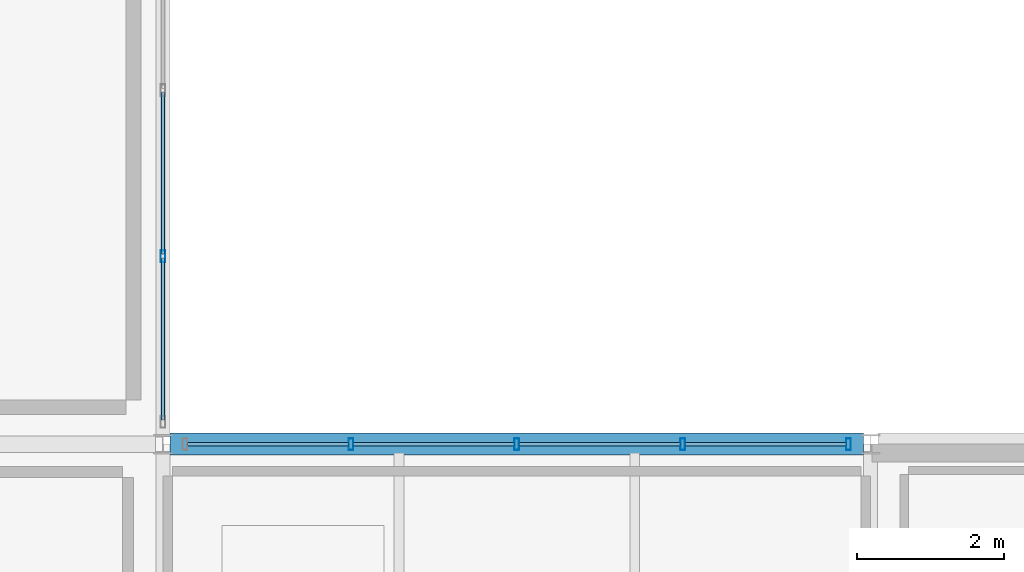
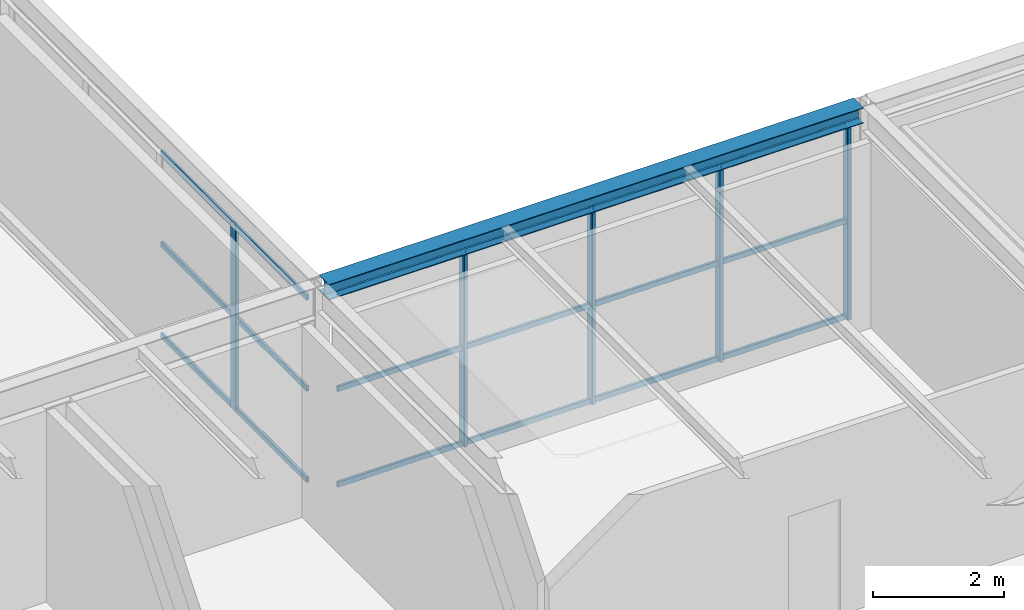
# One storey, part 16 of 33: 23 members, 1 beam, 2 elements without a shape of their own.
"""IFC4 building model written with IfcOpenShell, lengths in metres."""

from ifc_helpers import new_model, si_unit, direction, frame, origin, origin_2d, place, context, subcontext, project, spatial, hollow_rectangle, i_section, extrude, material, material_profile, profile_set, type_object, element, aggregate, save


model = new_model("IFC4")

# Units and contexts
model_context = context("Model", 3, precision=1e-05, world=origin(), true_north=direction((0.0, 1.0)))
body_context = subcontext(model_context, "Body", "Model", "MODEL_VIEW")
ifc_project = project(units=[si_unit("LENGTHUNIT", "METRE"), si_unit("AREAUNIT", "SQUARE_METRE"), si_unit("VOLUMEUNIT", "CUBIC_METRE"), si_unit("PLANEANGLEUNIT", "RADIAN"), si_unit("MASSUNIT", "GRAM", prefix="KILO")], contexts=[model_context])

# Site, building, storey
site_placement = place(None, origin())
site = spatial("IfcSite", under=ifc_project, at=site_placement, CompositionType="ELEMENT")
building_placement = place(site_placement, origin())
building = spatial("IfcBuilding", under=site, at=building_placement, Name="Coralgate Yard Interchange", CompositionType="ELEMENT")
storey_placement = place(building_placement, frame((0.0, 0.0, 23.10009765625)))
storey = spatial("IfcBuildingStorey", under=building, at=storey_placement, Name="L05", CompositionType="ELEMENT", Elevation=23.10009765625)

# Beam
ifc_material_1 = material(Name="Structural steel S355J2", Category="steel")
ifc_material_profile_1 = material_profile(ifc_material_1, i_section(OverallWidth=0.300048828125, OverallDepth=0.2900390625, WebThickness=0.008544921875, FlangeThickness=0.013916015625, FilletRadius=0.027099609375, at=origin_2d()), Name="HEA 300")
ifc_profile_set_1 = profile_set([ifc_material_profile_1], Name="Structural steel S355J2")
beam_type = type_object("IfcBeamType", Name="BM-SP-2", PredefinedType="SPANDREL", material=ifc_profile_set_1)
beam_placement = place(storey_placement, frame((19.298095703125, 19.199951171875, 3.77490234375), z_axis=(1.0, 0.0, 0.0), x_axis=(0.0, 1.0, 0.0)))
element("IfcBeam", 1, at=beam_placement, inside=storey, type_object=beam_type, Name="L05 primary grid beam Y2 X2-3", PredefinedType="SPANDREL", context=body_context, shape_type="SweptSolid", body=[
    extrude(i_section(OverallWidth=0.300048828125, OverallDepth=0.2900390625, WebThickness=0.008544921875, FlangeThickness=0.013916015625, FilletRadius=0.027099609375, at=origin_2d()), origin(), (0.0, 0.0, 1.0), 9.40380859375),
])

# Curtain wall, member
ifc_material_2 = material(Name="Anodised coastal aluminium and solar-control low-E glass", Category="aluminium")
curtain_wall_type = type_object("IfcCurtainWallType", Name="CW-CW-L05-A", PredefinedType="NOTDEFINED", material=ifc_material_2)
curtain_wall_1_placement = place(storey_placement, origin())
curtain_wall_1 = element("IfcCurtainWall", 2, at=curtain_wall_1_placement, inside=storey, type_object=curtain_wall_type, Name="L05 unitised curtain wall CW-L05-E-01-02", PredefinedType="NOTDEFINED")
ifc_material_3 = material(Name="Anodised coastal aluminium 6063-T6", Category="aluminium")
ifc_material_profile_2 = material_profile(ifc_material_3, hollow_rectangle(XDim=0.06494140625, YDim=0.159912109375, WallThickness=0.00390625, InnerFilletRadius=0.00390625, OuterFilletRadius=0.008056640625, at=origin_2d()), Name="ALU 65x160x4")
ifc_profile_set_2 = profile_set([ifc_material_profile_2], Name="Anodised coastal aluminium 6063-T6")
member_type_1 = type_object("IfcMemberType", Name="MB-MUL-160", PredefinedType="MULLION", material=ifc_profile_set_2)
member_1_placement = place(storey_placement, frame((19.199951171875, 21.75, 0.0), z_axis=(0.0, 0.0, 1.0), x_axis=(1.0, 0.0, 0.0)))
member_1 = element("IfcMember", 3, at=member_1_placement, type_object=member_type_1, Name="CW-L05-E-01-02 vertical mullion 4", PredefinedType="MULLION", context=body_context, shape_type="SweptSolid", body=[
    extrude(hollow_rectangle(XDim=0.06494140625, YDim=0.159912109375, WallThickness=0.00390625, InnerFilletRadius=0.00390625, OuterFilletRadius=0.008056640625, at=origin_2d()), origin(), (0.0, 0.0, 1.0), 3.462890625),
])

# Curtain wall, members
curtain_wall_2_placement = place(storey_placement, origin())
curtain_wall_2 = element("IfcCurtainWall", 4, at=curtain_wall_2_placement, inside=storey, type_object=curtain_wall_type, Name="L05 unitised curtain wall CW-L05-N-02-01", PredefinedType="NOTDEFINED")
member_2_placement = place(storey_placement, frame((21.75, 19.199951171875, 0.0), z_axis=(0.0, 0.0, 1.0), x_axis=(1.0, 0.0, 0.0)))
member_2 = element("IfcMember", 5, at=member_2_placement, type_object=member_type_1, Name="CW-L05-N-02-01 vertical mullion 2", PredefinedType="MULLION", context=body_context, shape_type="SweptSolid", body=[
    extrude(hollow_rectangle(XDim=0.06494140625, YDim=0.159912109375, WallThickness=0.00390625, InnerFilletRadius=0.00390625, OuterFilletRadius=0.008056640625, at=origin_2d()), origin(), (0.0, 0.0, 1.0), 3.6298828125),
])
member_3_placement = place(storey_placement, frame((24.0, 19.199951171875, 0.0), z_axis=(0.0, 0.0, 1.0), x_axis=(1.0, 0.0, 0.0)))
member_3 = element("IfcMember", 6, at=member_3_placement, type_object=member_type_1, Name="CW-L05-N-02-01 vertical mullion 3", PredefinedType="MULLION", context=body_context, shape_type="SweptSolid", body=[
    extrude(hollow_rectangle(XDim=0.06494140625, YDim=0.159912109375, WallThickness=0.00390625, InnerFilletRadius=0.00390625, OuterFilletRadius=0.008056640625, at=origin_2d()), origin(), (0.0, 0.0, 1.0), 3.6298828125),
])
member_4_placement = place(storey_placement, frame((26.25, 19.199951171875, 0.0), z_axis=(0.0, 0.0, 1.0), x_axis=(1.0, 0.0, 0.0)))
member_4 = element("IfcMember", 7, at=member_4_placement, type_object=member_type_1, Name="CW-L05-N-02-01 vertical mullion 4", PredefinedType="MULLION", context=body_context, shape_type="SweptSolid", body=[
    extrude(hollow_rectangle(XDim=0.06494140625, YDim=0.159912109375, WallThickness=0.00390625, InnerFilletRadius=0.00390625, OuterFilletRadius=0.008056640625, at=origin_2d()), origin(), (0.0, 0.0, 1.0), 3.6298828125),
])
member_5_placement = place(storey_placement, frame((28.5, 19.199951171875, 0.0), z_axis=(0.0, 0.0, 1.0), x_axis=(1.0, 0.0, 0.0)))
member_5 = element("IfcMember", 8, at=member_5_placement, type_object=member_type_1, Name="CW-L05-N-02-01 vertical mullion 5", PredefinedType="MULLION", context=body_context, shape_type="SweptSolid", body=[
    extrude(hollow_rectangle(XDim=0.06494140625, YDim=0.159912109375, WallThickness=0.00390625, InnerFilletRadius=0.00390625, OuterFilletRadius=0.008056640625, at=origin_2d()), origin(), (0.0, 0.0, 1.0), 3.6298828125),
])

# Member
ifc_material_profile_3 = material_profile(ifc_material_3, hollow_rectangle(XDim=0.050048828125, YDim=0.10009765625, WallThickness=0.0029296875, InnerFilletRadius=0.0029296875, OuterFilletRadius=0.006103515625, at=origin_2d()), Name="ALU 50x100x3")
ifc_profile_set_3 = profile_set([ifc_material_profile_3], Name="Anodised coastal aluminium 6063-T6")
member_type_2 = type_object("IfcMemberType", Name="MB-TRN-100", PredefinedType="USERDEFINED", material=ifc_profile_set_3)
member_6_placement = place(storey_placement, frame((19.199951171875, 23.969970703125, 0.034912109375), z_axis=(0.0, -1.0, 0.0), x_axis=(1.0, 0.0, 0.0)))
member_6 = element("IfcMember", 9, at=member_6_placement, type_object=member_type_2, Name="CW-L05-E-01-02 horizontal transom 3-1", ObjectType="TRANSOM", PredefinedType="USERDEFINED", context=body_context, shape_type="SweptSolid", body=[
    extrude(hollow_rectangle(XDim=0.050048828125, YDim=0.10009765625, WallThickness=0.0029296875, InnerFilletRadius=0.0029296875, OuterFilletRadius=0.006103515625, at=origin_2d()), origin(), (0.0, 0.0, 1.0), 2.18994140625),
])

member_7_placement = place(storey_placement, frame((19.199951171875, 23.969970703125, 1.7314453125), z_axis=(0.0, -1.0, 0.0), x_axis=(1.0, 0.0, 0.0)))
member_7 = element("IfcMember", 10, at=member_7_placement, type_object=member_type_2, Name="CW-L05-E-01-02 horizontal transom 3-2", ObjectType="TRANSOM", PredefinedType="USERDEFINED", context=body_context, shape_type="SweptSolid", body=[
    extrude(hollow_rectangle(XDim=0.050048828125, YDim=0.10009765625, WallThickness=0.0029296875, InnerFilletRadius=0.0029296875, OuterFilletRadius=0.006103515625, at=origin_2d()), origin(), (0.0, 0.0, 1.0), 2.18994140625),
])

member_8_placement = place(storey_placement, frame((19.199951171875, 23.969970703125, 3.427978515625), z_axis=(0.0, -1.0, 0.0), x_axis=(1.0, 0.0, 0.0)))
member_8 = element("IfcMember", 11, at=member_8_placement, type_object=member_type_2, Name="CW-L05-E-01-02 horizontal transom 3-3", ObjectType="TRANSOM", PredefinedType="USERDEFINED", context=body_context, shape_type="SweptSolid", body=[
    extrude(hollow_rectangle(XDim=0.050048828125, YDim=0.10009765625, WallThickness=0.0029296875, InnerFilletRadius=0.0029296875, OuterFilletRadius=0.006103515625, at=origin_2d()), origin(), (0.0, 0.0, 1.0), 2.18994140625),
])

member_9_placement = place(storey_placement, frame((19.199951171875, 21.719970703125, 0.034912109375), z_axis=(0.0, -1.0, 0.0), x_axis=(1.0, 0.0, 0.0)))
member_9 = element("IfcMember", 12, at=member_9_placement, type_object=member_type_2, Name="CW-L05-E-01-02 horizontal transom 4-1", ObjectType="TRANSOM", PredefinedType="USERDEFINED", context=body_context, shape_type="SweptSolid", body=[
    extrude(hollow_rectangle(XDim=0.050048828125, YDim=0.10009765625, WallThickness=0.0029296875, InnerFilletRadius=0.0029296875, OuterFilletRadius=0.006103515625, at=origin_2d()), origin(), (0.0, 0.0, 1.0), 2.18994140625),
])

member_10_placement = place(storey_placement, frame((19.199951171875, 21.719970703125, 1.7314453125), z_axis=(0.0, -1.0, 0.0), x_axis=(1.0, 0.0, 0.0)))
member_10 = element("IfcMember", 13, at=member_10_placement, type_object=member_type_2, Name="CW-L05-E-01-02 horizontal transom 4-2", ObjectType="TRANSOM", PredefinedType="USERDEFINED", context=body_context, shape_type="SweptSolid", body=[
    extrude(hollow_rectangle(XDim=0.050048828125, YDim=0.10009765625, WallThickness=0.0029296875, InnerFilletRadius=0.0029296875, OuterFilletRadius=0.006103515625, at=origin_2d()), origin(), (0.0, 0.0, 1.0), 2.18994140625),
])

member_11_placement = place(storey_placement, frame((19.199951171875, 21.719970703125, 3.427978515625), z_axis=(0.0, -1.0, 0.0), x_axis=(1.0, 0.0, 0.0)))
member_11 = element("IfcMember", 14, at=member_11_placement, type_object=member_type_2, Name="CW-L05-E-01-02 horizontal transom 4-3", ObjectType="TRANSOM", PredefinedType="USERDEFINED", context=body_context, shape_type="SweptSolid", body=[
    extrude(hollow_rectangle(XDim=0.050048828125, YDim=0.10009765625, WallThickness=0.0029296875, InnerFilletRadius=0.0029296875, OuterFilletRadius=0.006103515625, at=origin_2d()), origin(), (0.0, 0.0, 1.0), 2.18994140625),
])

aggregate(curtain_wall_1, [member_1, member_6, member_7, member_8, member_9, member_10, member_11])

member_12_placement = place(storey_placement, frame((19.530029296875, 19.199951171875, 0.034912109375), z_axis=(1.0, 0.0, 0.0), x_axis=(0.0, 1.0, 0.0)))
member_12 = element("IfcMember", 15, at=member_12_placement, type_object=member_type_2, Name="CW-L05-N-02-01 horizontal transom 1-1", ObjectType="TRANSOM", PredefinedType="USERDEFINED", context=body_context, shape_type="SweptSolid", body=[
    extrude(hollow_rectangle(XDim=0.050048828125, YDim=0.10009765625, WallThickness=0.0029296875, InnerFilletRadius=0.0029296875, OuterFilletRadius=0.006103515625, at=origin_2d()), origin(), (0.0, 0.0, 1.0), 2.18994140625),
])

member_13_placement = place(storey_placement, frame((19.530029296875, 19.199951171875, 1.81494140625), z_axis=(1.0, 0.0, 0.0), x_axis=(0.0, 1.0, 0.0)))
member_13 = element("IfcMember", 16, at=member_13_placement, type_object=member_type_2, Name="CW-L05-N-02-01 horizontal transom 1-2", ObjectType="TRANSOM", PredefinedType="USERDEFINED", context=body_context, shape_type="SweptSolid", body=[
    extrude(hollow_rectangle(XDim=0.050048828125, YDim=0.10009765625, WallThickness=0.0029296875, InnerFilletRadius=0.0029296875, OuterFilletRadius=0.006103515625, at=origin_2d()), origin(), (0.0, 0.0, 1.0), 2.18994140625),
])

member_14_placement = place(storey_placement, frame((19.530029296875, 19.199951171875, 3.594970703125), z_axis=(1.0, 0.0, 0.0), x_axis=(0.0, 1.0, 0.0)))
member_14 = element("IfcMember", 17, at=member_14_placement, type_object=member_type_2, Name="CW-L05-N-02-01 horizontal transom 1-3", ObjectType="TRANSOM", PredefinedType="USERDEFINED", context=body_context, shape_type="SweptSolid", body=[
    extrude(hollow_rectangle(XDim=0.050048828125, YDim=0.10009765625, WallThickness=0.0029296875, InnerFilletRadius=0.0029296875, OuterFilletRadius=0.006103515625, at=origin_2d()), origin(), (0.0, 0.0, 1.0), 2.18994140625),
])

member_15_placement = place(storey_placement, frame((21.780029296875, 19.199951171875, 0.034912109375), z_axis=(1.0, 0.0, 0.0), x_axis=(0.0, 1.0, 0.0)))
member_15 = element("IfcMember", 18, at=member_15_placement, type_object=member_type_2, Name="CW-L05-N-02-01 horizontal transom 2-1", ObjectType="TRANSOM", PredefinedType="USERDEFINED", context=body_context, shape_type="SweptSolid", body=[
    extrude(hollow_rectangle(XDim=0.050048828125, YDim=0.10009765625, WallThickness=0.0029296875, InnerFilletRadius=0.0029296875, OuterFilletRadius=0.006103515625, at=origin_2d()), origin(), (0.0, 0.0, 1.0), 2.18994140625),
])

member_16_placement = place(storey_placement, frame((21.780029296875, 19.199951171875, 1.81494140625), z_axis=(1.0, 0.0, 0.0), x_axis=(0.0, 1.0, 0.0)))
member_16 = element("IfcMember", 19, at=member_16_placement, type_object=member_type_2, Name="CW-L05-N-02-01 horizontal transom 2-2", ObjectType="TRANSOM", PredefinedType="USERDEFINED", context=body_context, shape_type="SweptSolid", body=[
    extrude(hollow_rectangle(XDim=0.050048828125, YDim=0.10009765625, WallThickness=0.0029296875, InnerFilletRadius=0.0029296875, OuterFilletRadius=0.006103515625, at=origin_2d()), origin(), (0.0, 0.0, 1.0), 2.18994140625),
])

member_17_placement = place(storey_placement, frame((21.780029296875, 19.199951171875, 3.594970703125), z_axis=(1.0, 0.0, 0.0), x_axis=(0.0, 1.0, 0.0)))
member_17 = element("IfcMember", 20, at=member_17_placement, type_object=member_type_2, Name="CW-L05-N-02-01 horizontal transom 2-3", ObjectType="TRANSOM", PredefinedType="USERDEFINED", context=body_context, shape_type="SweptSolid", body=[
    extrude(hollow_rectangle(XDim=0.050048828125, YDim=0.10009765625, WallThickness=0.0029296875, InnerFilletRadius=0.0029296875, OuterFilletRadius=0.006103515625, at=origin_2d()), origin(), (0.0, 0.0, 1.0), 2.18994140625),
])

member_18_placement = place(storey_placement, frame((24.030029296875, 19.199951171875, 0.034912109375), z_axis=(1.0, 0.0, 0.0), x_axis=(0.0, 1.0, 0.0)))
member_18 = element("IfcMember", 21, at=member_18_placement, type_object=member_type_2, Name="CW-L05-N-02-01 horizontal transom 3-1", ObjectType="TRANSOM", PredefinedType="USERDEFINED", context=body_context, shape_type="SweptSolid", body=[
    extrude(hollow_rectangle(XDim=0.050048828125, YDim=0.10009765625, WallThickness=0.0029296875, InnerFilletRadius=0.0029296875, OuterFilletRadius=0.006103515625, at=origin_2d()), origin(), (0.0, 0.0, 1.0), 2.18994140625),
])

member_19_placement = place(storey_placement, frame((24.030029296875, 19.199951171875, 1.81494140625), z_axis=(1.0, 0.0, 0.0), x_axis=(0.0, 1.0, 0.0)))
member_19 = element("IfcMember", 22, at=member_19_placement, type_object=member_type_2, Name="CW-L05-N-02-01 horizontal transom 3-2", ObjectType="TRANSOM", PredefinedType="USERDEFINED", context=body_context, shape_type="SweptSolid", body=[
    extrude(hollow_rectangle(XDim=0.050048828125, YDim=0.10009765625, WallThickness=0.0029296875, InnerFilletRadius=0.0029296875, OuterFilletRadius=0.006103515625, at=origin_2d()), origin(), (0.0, 0.0, 1.0), 2.18994140625),
])

member_20_placement = place(storey_placement, frame((24.030029296875, 19.199951171875, 3.594970703125), z_axis=(1.0, 0.0, 0.0), x_axis=(0.0, 1.0, 0.0)))
member_20 = element("IfcMember", 23, at=member_20_placement, type_object=member_type_2, Name="CW-L05-N-02-01 horizontal transom 3-3", ObjectType="TRANSOM", PredefinedType="USERDEFINED", context=body_context, shape_type="SweptSolid", body=[
    extrude(hollow_rectangle(XDim=0.050048828125, YDim=0.10009765625, WallThickness=0.0029296875, InnerFilletRadius=0.0029296875, OuterFilletRadius=0.006103515625, at=origin_2d()), origin(), (0.0, 0.0, 1.0), 2.18994140625),
])

member_21_placement = place(storey_placement, frame((26.280029296875, 19.199951171875, 0.034912109375), z_axis=(1.0, 0.0, 0.0), x_axis=(0.0, 1.0, 0.0)))
member_21 = element("IfcMember", 24, at=member_21_placement, type_object=member_type_2, Name="CW-L05-N-02-01 horizontal transom 4-1", ObjectType="TRANSOM", PredefinedType="USERDEFINED", context=body_context, shape_type="SweptSolid", body=[
    extrude(hollow_rectangle(XDim=0.050048828125, YDim=0.10009765625, WallThickness=0.0029296875, InnerFilletRadius=0.0029296875, OuterFilletRadius=0.006103515625, at=origin_2d()), origin(), (0.0, 0.0, 1.0), 2.18994140625),
])

member_22_placement = place(storey_placement, frame((26.280029296875, 19.199951171875, 1.81494140625), z_axis=(1.0, 0.0, 0.0), x_axis=(0.0, 1.0, 0.0)))
member_22 = element("IfcMember", 25, at=member_22_placement, type_object=member_type_2, Name="CW-L05-N-02-01 horizontal transom 4-2", ObjectType="TRANSOM", PredefinedType="USERDEFINED", context=body_context, shape_type="SweptSolid", body=[
    extrude(hollow_rectangle(XDim=0.050048828125, YDim=0.10009765625, WallThickness=0.0029296875, InnerFilletRadius=0.0029296875, OuterFilletRadius=0.006103515625, at=origin_2d()), origin(), (0.0, 0.0, 1.0), 2.18994140625),
])

member_23_placement = place(storey_placement, frame((26.280029296875, 19.199951171875, 3.594970703125), z_axis=(1.0, 0.0, 0.0), x_axis=(0.0, 1.0, 0.0)))
member_23 = element("IfcMember", 26, at=member_23_placement, type_object=member_type_2, Name="CW-L05-N-02-01 horizontal transom 4-3", ObjectType="TRANSOM", PredefinedType="USERDEFINED", context=body_context, shape_type="SweptSolid", body=[
    extrude(hollow_rectangle(XDim=0.050048828125, YDim=0.10009765625, WallThickness=0.0029296875, InnerFilletRadius=0.0029296875, OuterFilletRadius=0.006103515625, at=origin_2d()), origin(), (0.0, 0.0, 1.0), 2.18994140625),
])

aggregate(curtain_wall_2, [member_2, member_3, member_4, member_5, member_12, member_13, member_14, member_15, member_16, member_17, member_18, member_19, member_20, member_21, member_22, member_23])

save(model, "model.ifc")
